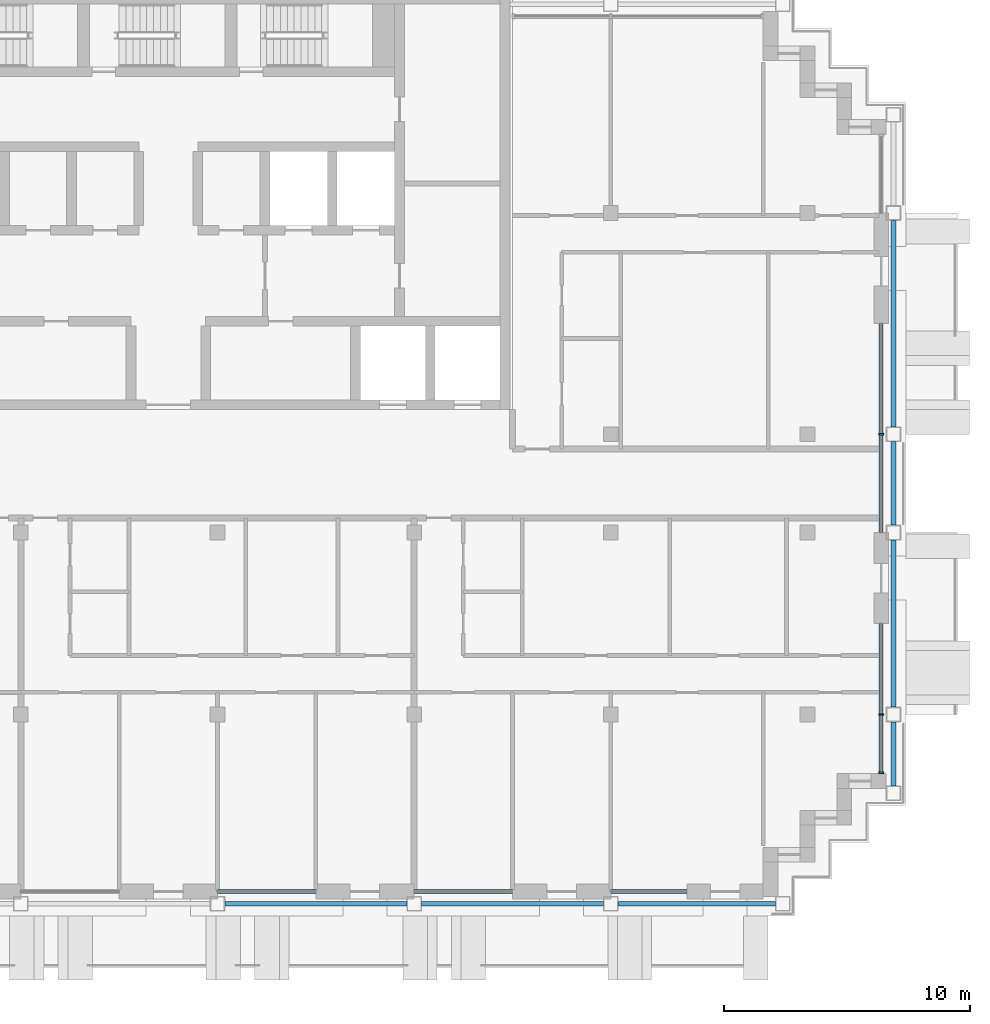
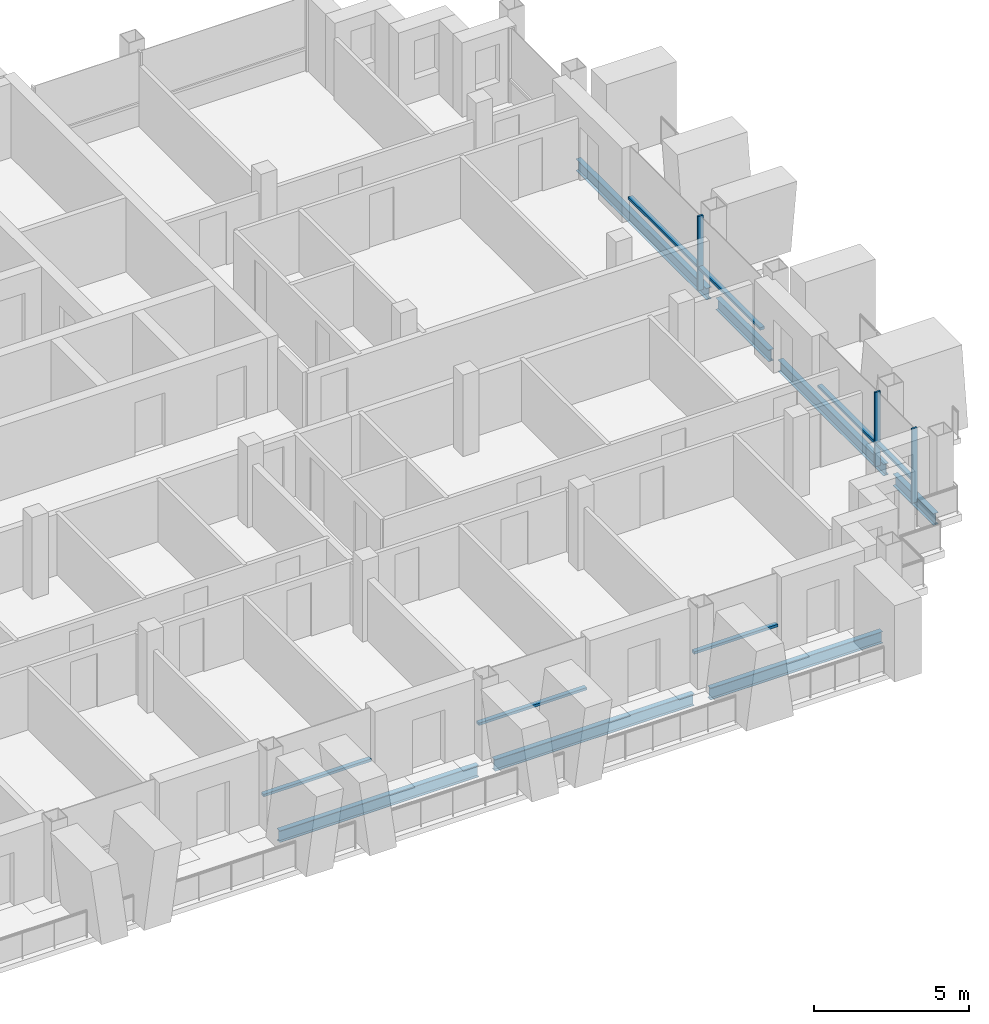
# One storey, part 3 of 16: 10 members, 7 beams, 5 elements without a shape of their own.
"""IFC4 building model written with IfcOpenShell, lengths in metres."""

from ifc_helpers import new_model, si_unit, direction, frame, origin, origin_2d, place, context, subcontext, project, spatial, rectangle, i_section, extrude, material, material_profile, profile_set, type_object, element, aggregate, save


model = new_model("IFC4")

# Units and contexts
model_context = context("Model", 3, precision=1e-05, world=origin(), true_north=direction((0.0, 1.0)))
body_context = subcontext(model_context, "Body", "Model", "MODEL_VIEW")
ifc_project = project(units=[si_unit("LENGTHUNIT", "METRE"), si_unit("AREAUNIT", "SQUARE_METRE"), si_unit("VOLUMEUNIT", "CUBIC_METRE"), si_unit("PLANEANGLEUNIT", "RADIAN"), si_unit("MASSUNIT", "GRAM", prefix="KILO")], contexts=[model_context])

# Site, building, storey
site_placement = place(None, origin())
site = spatial("IfcSite", under=ifc_project, at=site_placement, CompositionType="ELEMENT")
building_placement = place(site_placement, origin())
building = spatial("IfcBuilding", under=site, at=building_placement, Name="Vidyagriha Tower", CompositionType="ELEMENT")
storey_placement = place(building_placement, frame((0.0, 0.0, 230.0)))
storey = spatial("IfcBuildingStorey", under=building, at=storey_placement, Name="L60", CompositionType="ELEMENT", Elevation=230.0)

# Beams
ifc_material_1 = material(Name="Steel ASTM A992 Grade 50", Category="steel")
ifc_material_profile_1 = material_profile(ifc_material_1, i_section(OverallWidth=0.19189453125, OverallDepth=0.46240234375, WebThickness=0.010498046875, FlangeThickness=0.017578125, at=origin_2d()), Name="W18X60")
ifc_profile_set_1 = profile_set([ifc_material_profile_1], Name="Steel ASTM A992 Grade 50")
beam_type = type_object("IfcBeamType", Name="Edge beam W18X60", PredefinedType="SPANDREL", material=ifc_profile_set_1)
for number, where, z_axis, x_axis, name in (
    (1, (2.300048828125, -17.10009765625, -0.51123046875), (1.0, 0.0, 0.0), (0.0, 1.0, 0.0), "st-beam-L60-S05"),
    (2, (10.300048828125, -17.10009765625, -0.51123046875), (1.0, 0.0, 0.0), (0.0, 1.0, 0.0), "st-beam-L60-S06"),
):
    element("IfcBeam", number, at=place(storey_placement, frame(where, z_axis=z_axis, x_axis=x_axis)), inside=storey, type_object=beam_type, Name=name, PredefinedType="SPANDREL", context=body_context, shape_type="SweptSolid", body=[
        extrude(i_section(OverallWidth=0.19189453125, OverallDepth=0.46240234375, WebThickness=0.010498046875, FlangeThickness=0.017578125, at=origin_2d()), origin(), (0.0, 0.0, 1.0), 7.39990234375),
    ])
beam_1_placement = place(storey_placement, frame((18.300048828125, -17.10009765625, -0.51123046875), z_axis=(1.0, 0.0, 0.0), x_axis=(0.0, 1.0, 0.0)))
element("IfcBeam", 3, at=beam_1_placement, inside=storey, type_object=beam_type, Name="st-beam-L60-S07", PredefinedType="SPANDREL", context=body_context, shape_type="SweptSolid", body=[
    extrude(i_section(OverallWidth=0.19189453125, OverallDepth=0.46240234375, WebThickness=0.010498046875, FlangeThickness=0.017578125, at=origin_2d()), origin(), (0.0, 0.0, 1.0), 6.39990234375),
])
beam_2_placement = place(storey_placement, frame((29.5, -12.300048828125, -0.51123046875), z_axis=(0.0, 1.0, 0.0), x_axis=(-1.0, 0.0, 0.0)))
element("IfcBeam", 4, at=beam_2_placement, inside=storey, type_object=beam_type, Name="st-beam-L60-E13", PredefinedType="SPANDREL", context=body_context, shape_type="SweptSolid", body=[
    extrude(i_section(OverallWidth=0.19189453125, OverallDepth=0.46240234375, WebThickness=0.010498046875, FlangeThickness=0.017578125, at=origin_2d()), origin(), (0.0, 0.0, 1.0), 2.60009765625),
])
beam_3_placement = place(storey_placement, frame((29.5, -9.10009765625, -0.51123046875), z_axis=(0.0, 1.0, 0.0), x_axis=(-1.0, 0.0, 0.0)))
element("IfcBeam", 5, at=beam_3_placement, inside=storey, type_object=beam_type, Name="st-beam-L60-E14", PredefinedType="SPANDREL", context=body_context, shape_type="SweptSolid", body=[
    extrude(i_section(OverallWidth=0.19189453125, OverallDepth=0.46240234375, WebThickness=0.010498046875, FlangeThickness=0.017578125, at=origin_2d()), origin(), (0.0, 0.0, 1.0), 6.800048828125),
])
beam_4_placement = place(storey_placement, frame((29.5, -1.699951171875, -0.51123046875), z_axis=(0.0, 1.0, 0.0), x_axis=(-1.0, 0.0, 0.0)))
element("IfcBeam", 6, at=beam_4_placement, inside=storey, type_object=beam_type, Name="st-beam-L60-E15", PredefinedType="SPANDREL", context=body_context, shape_type="SweptSolid", body=[
    extrude(i_section(OverallWidth=0.19189453125, OverallDepth=0.46240234375, WebThickness=0.010498046875, FlangeThickness=0.017578125, at=origin_2d()), origin(), (0.0, 0.0, 1.0), 3.39990234375),
])
beam_5_placement = place(storey_placement, frame((29.5, 2.300048828125, -0.51123046875), z_axis=(0.0, 1.0, 0.0), x_axis=(-1.0, 0.0, 0.0)))
element("IfcBeam", 7, at=beam_5_placement, inside=storey, type_object=beam_type, Name="st-beam-L60-E16", PredefinedType="SPANDREL", context=body_context, shape_type="SweptSolid", body=[
    extrude(i_section(OverallWidth=0.19189453125, OverallDepth=0.46240234375, WebThickness=0.010498046875, FlangeThickness=0.017578125, at=origin_2d()), origin(), (0.0, 0.0, 1.0), 8.39990234375),
])

# Curtain wall, members
ifc_material_2 = material(Name="Aluminium and glass curtain wall", Category="aluminium")
curtain_wall_type = type_object("IfcCurtainWallType", Name="Dwelling skin unitised curtain wall", PredefinedType="USERDEFINED", material=ifc_material_2)
curtain_wall_1_placement = place(storey_placement, origin())
curtain_wall_1 = element("IfcCurtainWall", 8, at=curtain_wall_1_placement, inside=storey, type_object=curtain_wall_type, Name="CW1 dwelling skin", ObjectType="UNITISED", PredefinedType="USERDEFINED")
ifc_material_3 = material(Name="Aluminium black anodised", Category="aluminium")
ifc_material_profile_2 = material_profile(ifc_material_3, rectangle(XDim=0.199951171875, YDim=0.070068359375, at=origin_2d()), Name="Mullion 70x200 black aluminium")
ifc_profile_set_2 = profile_set([ifc_material_profile_2], Name="Aluminium black anodised")
member_type_1 = type_object("IfcMemberType", Name="Mullion 70x200 black aluminium", PredefinedType="MULLION", material=ifc_profile_set_2)
member_1_placement = place(storey_placement, frame((29.0, -11.764892578125, 0.0), z_axis=(0.0, 0.0, 1.0), x_axis=(-1.0, 0.0, 0.0)))
member_1 = element("IfcMember", 9, at=member_1_placement, type_object=member_type_1, Name="CW1 mullion 1", PredefinedType="MULLION", context=body_context, shape_type="SweptSolid", body=[
    extrude(rectangle(XDim=0.199951171875, YDim=0.070068359375, at=origin_2d()), origin(), (0.0, 0.0, 1.0), 2.919921875),
])
member_2_placement = place(storey_placement, frame((29.0, -9.39990234375, 0.0), z_axis=(0.0, 0.0, 1.0), x_axis=(-1.0, 0.0, 0.0)))
member_2 = element("IfcMember", 10, at=member_2_placement, type_object=member_type_1, Name="CW1 mullion 2", PredefinedType="MULLION", context=body_context, shape_type="SweptSolid", body=[
    extrude(rectangle(XDim=0.199951171875, YDim=0.070068359375, at=origin_2d()), origin(), (0.0, 0.0, 1.0), 2.919921875),
])

# Curtain wall, member
curtain_wall_2_placement = place(storey_placement, origin())
curtain_wall_2 = element("IfcCurtainWall", 11, at=curtain_wall_2_placement, inside=storey, type_object=curtain_wall_type, Name="CW1 dwelling skin", ObjectType="UNITISED", PredefinedType="USERDEFINED")
member_3_placement = place(storey_placement, frame((29.0, 2.0, 0.0), z_axis=(0.0, 0.0, 1.0), x_axis=(-1.0, 0.0, 0.0)))
member_3 = element("IfcMember", 12, at=member_3_placement, type_object=member_type_1, Name="CW1 mullion 2", PredefinedType="MULLION", context=body_context, shape_type="SweptSolid", body=[
    extrude(rectangle(XDim=0.199951171875, YDim=0.070068359375, at=origin_2d()), origin(), (0.0, 0.0, 1.0), 2.919921875),
])

curtain_wall_3_placement = place(storey_placement, origin())
curtain_wall_3 = element("IfcCurtainWall", 13, at=curtain_wall_3_placement, inside=storey, type_object=curtain_wall_type, Name="CW1 dwelling skin", ObjectType="UNITISED", PredefinedType="USERDEFINED")
ifc_material_4 = material(Name="Aluminium black anodised", Category="aluminium")
ifc_material_profile_3 = material_profile(ifc_material_4, rectangle(XDim=0.159912109375, YDim=0.10009765625, at=origin_2d()), Name="Transom 100x160 black aluminium")
ifc_profile_set_3 = profile_set([ifc_material_profile_3], Name="Aluminium black anodised")
member_type_2 = type_object("IfcMemberType", Name="Transom 100x160 black aluminium", PredefinedType="USERDEFINED", material=ifc_profile_set_3)
member_4_placement = place(storey_placement, frame((2.0, -16.60009765625, 0.89990234375), z_axis=(1.0, 0.0, 0.0), x_axis=(0.0, 1.0, 0.0)))
member_4 = element("IfcMember", 14, at=member_4_placement, type_object=member_type_2, Name="CW1 transom 1.1", ObjectType="TRANSOM", PredefinedType="USERDEFINED", context=body_context, shape_type="SweptSolid", body=[
    extrude(rectangle(XDim=0.159912109375, YDim=0.10009765625, at=origin_2d()), origin(), (0.0, 0.0, 1.0), 4.0),
])
aggregate(curtain_wall_3, [member_4])

curtain_wall_4_placement = place(storey_placement, origin())
curtain_wall_4 = element("IfcCurtainWall", 15, at=curtain_wall_4_placement, inside=storey, type_object=curtain_wall_type, Name="CW1 dwelling skin", ObjectType="UNITISED", PredefinedType="USERDEFINED")
member_5_placement = place(storey_placement, frame((10.0, -16.60009765625, 0.89990234375), z_axis=(1.0, 0.0, 0.0), x_axis=(0.0, 1.0, 0.0)))
member_5 = element("IfcMember", 16, at=member_5_placement, type_object=member_type_2, Name="CW1 transom 1.1", ObjectType="TRANSOM", PredefinedType="USERDEFINED", context=body_context, shape_type="SweptSolid", body=[
    extrude(rectangle(XDim=0.159912109375, YDim=0.10009765625, at=origin_2d()), origin(), (0.0, 0.0, 1.0), 4.0),
])
aggregate(curtain_wall_4, [member_5])

curtain_wall_5_placement = place(storey_placement, origin())
curtain_wall_5 = element("IfcCurtainWall", 17, at=curtain_wall_5_placement, inside=storey, type_object=curtain_wall_type, Name="CW1 dwelling skin", ObjectType="UNITISED", PredefinedType="USERDEFINED")
member_6_placement = place(storey_placement, frame((18.0, -16.60009765625, 0.89990234375), z_axis=(1.0, 0.0, 0.0), x_axis=(0.0, 1.0, 0.0)))
member_6 = element("IfcMember", 18, at=member_6_placement, type_object=member_type_2, Name="CW1 transom 1.1", ObjectType="TRANSOM", PredefinedType="USERDEFINED", context=body_context, shape_type="SweptSolid", body=[
    extrude(rectangle(XDim=0.159912109375, YDim=0.10009765625, at=origin_2d()), origin(), (0.0, 0.0, 1.0), 3.10009765625),
])
aggregate(curtain_wall_5, [member_6])

# Member
member_7_placement = place(storey_placement, frame((29.0, -11.72998046875, 0.89990234375), z_axis=(0.0, 1.0, 0.0), x_axis=(-1.0, 0.0, 0.0)))
member_7 = element("IfcMember", 19, at=member_7_placement, type_object=member_type_2, Name="CW1 transom 1.1", ObjectType="TRANSOM", PredefinedType="USERDEFINED", context=body_context, shape_type="SweptSolid", body=[
    extrude(rectangle(XDim=0.159912109375, YDim=0.10009765625, at=origin_2d()), origin(), (0.0, 0.0, 1.0), 2.294921875),
])

member_8_placement = place(storey_placement, frame((29.0, -9.364990234375, 0.89990234375), z_axis=(0.0, 1.0, 0.0), x_axis=(-1.0, 0.0, 0.0)))
member_8 = element("IfcMember", 20, at=member_8_placement, type_object=member_type_2, Name="CW1 transom 2.1", ObjectType="TRANSOM", PredefinedType="USERDEFINED", context=body_context, shape_type="SweptSolid", body=[
    extrude(rectangle(XDim=0.159912109375, YDim=0.10009765625, at=origin_2d()), origin(), (0.0, 0.0, 1.0), 3.6650390625),
])

aggregate(curtain_wall_1, [member_1, member_2, member_7, member_8])

member_9_placement = place(storey_placement, frame((29.0, -2.0, 0.89990234375), z_axis=(0.0, 1.0, 0.0), x_axis=(-1.0, 0.0, 0.0)))
member_9 = element("IfcMember", 21, at=member_9_placement, type_object=member_type_2, Name="CW1 transom 1.1", ObjectType="TRANSOM", PredefinedType="USERDEFINED", context=body_context, shape_type="SweptSolid", body=[
    extrude(rectangle(XDim=0.159912109375, YDim=0.10009765625, at=origin_2d()), origin(), (0.0, 0.0, 1.0), 3.965087890625),
])

member_10_placement = place(storey_placement, frame((29.0, 2.034912109375, 0.89990234375), z_axis=(0.0, 1.0, 0.0), x_axis=(-1.0, 0.0, 0.0)))
member_10 = element("IfcMember", 22, at=member_10_placement, type_object=member_type_2, Name="CW1 transom 2.1", ObjectType="TRANSOM", PredefinedType="USERDEFINED", context=body_context, shape_type="SweptSolid", body=[
    extrude(rectangle(XDim=0.159912109375, YDim=0.10009765625, at=origin_2d()), origin(), (0.0, 0.0, 1.0), 4.465087890625),
])

aggregate(curtain_wall_2, [member_3, member_9, member_10])

save(model, "model.ifc")
